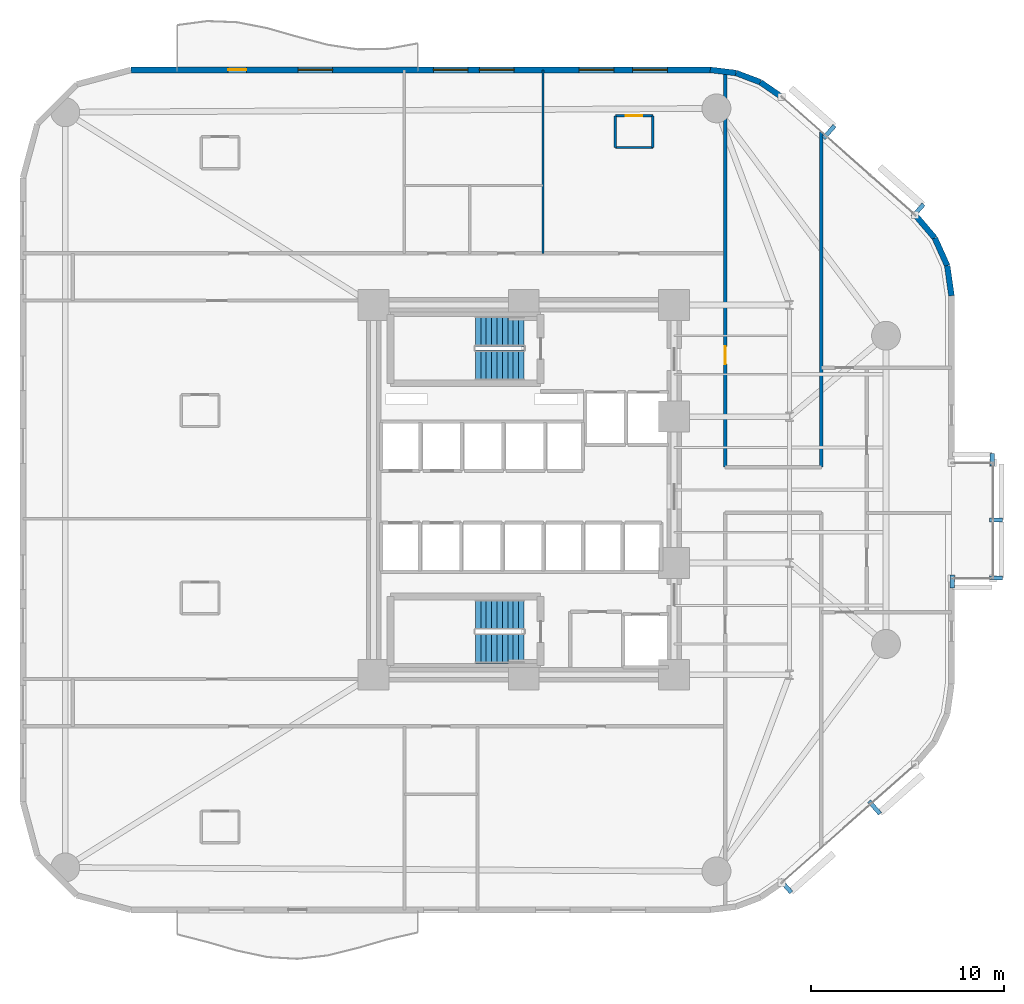
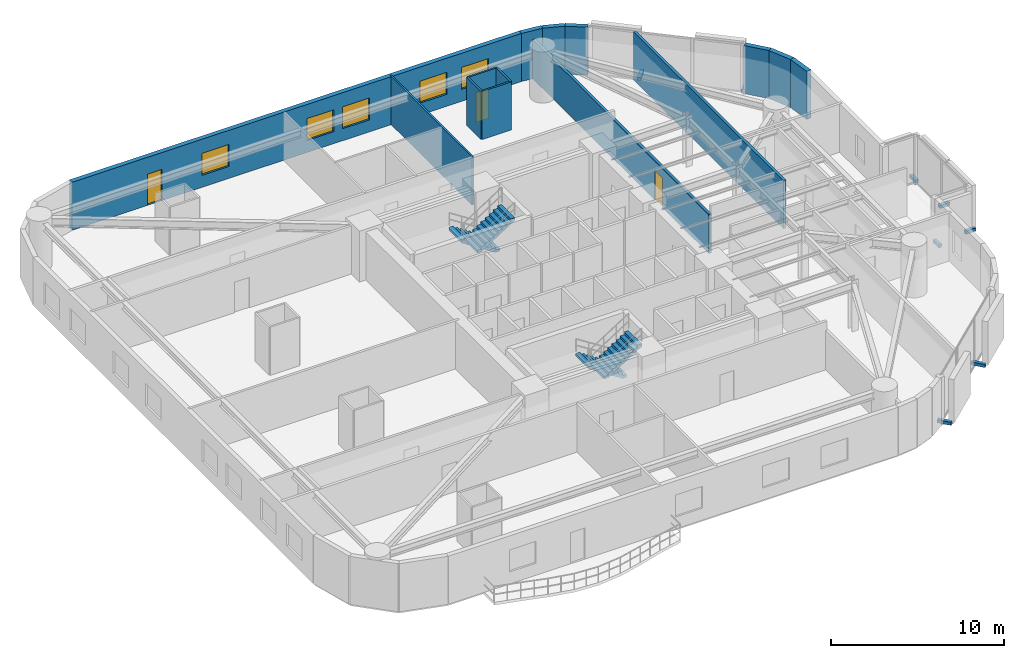
# One storey, part 13 of 16: 14 walls, 8 discrete accessories, 5 windows, 4 stair flights, 3 doors, 8 openings, 2 elements without a shape of their own.
"""IFC4 building model written with IfcOpenShell, lengths in metres."""

import ifcopenshell
import ifcopenshell.guid

model = None  # the IFC model being written
_history = None  # IfcOwnerHistory: only IFC2X3 demands one
_inside = {}  # id of a spatial element -> (the spatial element, [elements in it])
_under = {}  # id of a project, library or spatial element -> (it, [spatial elements below it])
_declared = {}  # id of a project -> (the project, [libraries it declares])
_typed = {}  # id of a type object -> (the type object, [elements of that type])
_made_of = {}  # id of a material, layer set ... -> (it, [elements and type objects made of it])


def new_model(schema):
    """Start an empty IFC model of exactly this schema.

    Asked for "IFC4X3", IfcOpenShell would pick the latest addendum, in which some entities
    have other attributes; the version numbers below select the first issue.
    IFC2X3 requires an IfcOwnerHistory on every rooted entity: one is made here for all.
    """
    global model, _history
    if schema == "IFC4X3":
        model = ifcopenshell.file(schema_version=(4, 3, 0, 0))
    else:
        model = ifcopenshell.file(schema=schema)
    _inside.clear()
    _under.clear()
    _declared.clear()
    _typed.clear()
    _made_of.clear()
    _history = None
    if model.schema == "IFC2X3":
        org = make("IfcOrganization", Name="unknown")
        user = make(
            "IfcPersonAndOrganization",
            ThePerson=make("IfcPerson", FamilyName="unknown"),
            TheOrganization=org,
        )
        app = make(
            "IfcApplication",
            ApplicationDeveloper=org,
            Version="unknown",
            ApplicationFullName="unknown",
            ApplicationIdentifier="unknown",
        )
        _history = make(
            "IfcOwnerHistory",
            OwningUser=user,
            OwningApplication=app,
            ChangeAction="ADDED",
            CreationDate=0,
        )
    return model


def make(cls, **values):
    """One entity of the class cls with the attributes given. An attribute that is None is left unset."""
    return model.create_entity(
        cls, **{name: value for name, value in values.items() if value is not None}
    )


def rooted(cls, **values):
    """An entity with a GlobalId (a new one), such as an element, a storey or a relation."""
    return make(cls, GlobalId=ifcopenshell.guid.new(), OwnerHistory=_history, **values)


def si_unit(unit_type, name, prefix=None):
    """IfcSIUnit, for example si_unit("LENGTHUNIT", "METRE", prefix="MILLI")."""
    return make("IfcSIUnit", UnitType=unit_type, Prefix=prefix, Name=name)


def assignment(units):
    """IfcUnitAssignment: the units of a project."""
    return None if units is None else make("IfcUnitAssignment", Units=units)


def point(xyz):
    """IfcCartesianPoint."""
    return None if xyz is None else make("IfcCartesianPoint", Coordinates=xyz)


def direction(xyz):
    """IfcDirection."""
    return None if xyz is None else make("IfcDirection", DirectionRatios=xyz)


def frame(location, z_axis=None, x_axis=None):
    """IfcAxis2Placement3D, a coordinate frame: its origin and axes. An axis left out is left unset."""
    return make(
        "IfcAxis2Placement3D",
        Location=point(location),
        Axis=direction(z_axis),
        RefDirection=direction(x_axis),
    )


def frame_2d(location, x_axis=None):
    """IfcAxis2Placement2D, a coordinate frame in the plane: its origin and x axis."""
    return make(
        "IfcAxis2Placement2D", Location=point(location), RefDirection=direction(x_axis)
    )


def origin():
    """The frame at (0, 0, 0) with its axes left unset."""
    return frame((0.0, 0.0, 0.0))


def origin_2d():
    """The frame at (0, 0) in the plane with its x axis left unset."""
    return frame_2d((0.0, 0.0))


def place(relative_to, where):
    """IfcLocalPlacement: puts the frame where relative to a parent placement (None: the world)."""
    return make(
        "IfcLocalPlacement", PlacementRelTo=relative_to, RelativePlacement=where
    )


def context(
    kind, dimensions, precision=None, world=None, true_north=None, identifier=None
):
    """IfcGeometricRepresentationContext, for example the 3D "Model" context."""
    return make(
        "IfcGeometricRepresentationContext",
        ContextIdentifier=identifier,
        ContextType=kind,
        CoordinateSpaceDimension=dimensions,
        Precision=precision,
        WorldCoordinateSystem=world,
        TrueNorth=true_north,
    )


def subcontext(parent, identifier, kind, view, scale=None):
    """IfcGeometricRepresentationSubContext, for example "Body" below "Model"."""
    return make(
        "IfcGeometricRepresentationSubContext",
        ContextIdentifier=identifier,
        ContextType=kind,
        ParentContext=parent,
        TargetScale=scale,
        TargetView=view,
    )


def project(units=None, contexts=None):
    """IfcProject with its units and contexts."""
    return rooted(
        "IfcProject",
        Name="project",
        RepresentationContexts=contexts,
        UnitsInContext=assignment(units),
    )


def spatial(cls, under=None, at=None, **own):
    """A site, building, storey or space (cls), placed at a placement, below another one or the project."""
    s = rooted(cls, ObjectPlacement=at, **own)
    if under is not None:
        _under.setdefault(under.id(), (under, []))[1].append(s)
    return s


def polyline(points):
    """IfcPolyline through the points."""
    return make("IfcPolyline", Points=[point(p) for p in points])


def profile(cls, at=None, kind="AREA", **sizes):
    """A parametric profile (cls). Its sizes go by their IFC names, for example OverallWidth=200.0."""
    return make(cls, ProfileType=kind, Position=at, **sizes)


def rectangle(**sizes):
    """IfcRectangleProfileDef."""
    return profile("IfcRectangleProfileDef", **sizes)


def outline(outer, holes=None, kind="AREA"):
    """IfcArbitraryClosedProfileDef: a profile drawn as a closed curve; with holes, ...WithVoids."""
    if holes is None:
        return make("IfcArbitraryClosedProfileDef", ProfileType=kind, OuterCurve=outer)
    return make(
        "IfcArbitraryProfileDefWithVoids",
        ProfileType=kind,
        OuterCurve=outer,
        InnerCurves=holes,
    )


def extrude(swept, where, along, depth):
    """IfcExtrudedAreaSolid: the profile swept, set in the frame where, extruded along a direction by depth."""
    return make(
        "IfcExtrudedAreaSolid",
        SweptArea=swept,
        Position=where,
        ExtrudedDirection=direction(along),
        Depth=depth,
    )


def shape(context_of_items, identifier, shape_type, items):
    """IfcShapeRepresentation: the items that make up one representation, for example the "Body"."""
    return make(
        "IfcShapeRepresentation",
        ContextOfItems=context_of_items,
        RepresentationIdentifier=identifier,
        RepresentationType=shape_type,
        Items=items,
    )


def material(Name=None, Category=None):
    """IfcMaterial."""
    return make("IfcMaterial", Name=Name, Category=Category)


def layer(
    of_material, thickness, ventilated=None, Name=None, Category=None, Priority=None
):
    """IfcMaterialLayer: one layer of a wall or slab, of a material (None: an air gap)."""
    return make(
        "IfcMaterialLayer",
        Material=of_material,
        LayerThickness=thickness,
        IsVentilated=ventilated,
        Name=Name,
        Category=Category,
        Priority=Priority,
    )


def layer_set(layers, Name=None):
    """IfcMaterialLayerSet."""
    return make("IfcMaterialLayerSet", MaterialLayers=layers, LayerSetName=Name)


def made_of(thing, what):
    """Note that an element or type object is made of a material, layer set ...; save() writes the relation."""
    if what is not None:
        _made_of.setdefault(what.id(), (what, []))[1].append(thing)
    return thing


def type_object(cls, material=None, **own):
    """A type object (cls), such as IfcWallType, which elements share."""
    return made_of(rooted(cls, **own), material)


def element(
    cls,
    number,
    at=None,
    inside=None,
    cuts=None,
    type_object=None,
    material=None,
    context=None,
    identifier="Body",
    shape_type=None,
    held_by="IfcProductDefinitionShape",
    body=None,
    shapes=None,
    **own,
):
    """One element of the class cls, such as IfcWall. Its Tag is "e" and its number.

    at: its placement. inside: the storey or other place that contains it. cuts: it is an
    opening in that element (IfcRelVoidsElement). A single representation is given by context,
    identifier, shape_type and body (its items); several are given by shapes. held_by: the class
    of the entity that holds the representations. save() writes the other relations.
    """
    e = rooted(cls, Tag="e%d" % number, ObjectPlacement=at, **own)
    if body is not None:
        shapes = [shape(context, identifier, shape_type, body)]
    if shapes is not None:
        e.Representation = make(held_by, Representations=shapes)
    if inside is not None:
        _inside.setdefault(inside.id(), (inside, []))[1].append(e)
    if cuts is not None:
        rooted(
            "IfcRelVoidsElement", RelatingBuildingElement=cuts, RelatedOpeningElement=e
        )
    if type_object is not None:
        _typed.setdefault(type_object.id(), (type_object, []))[1].append(e)
    return made_of(e, material)


def fill(opening, filler):
    """IfcRelFillsElement: the door or window that sits in an opening."""
    return rooted(
        "IfcRelFillsElement",
        RelatingOpeningElement=opening,
        RelatedBuildingElement=filler,
    )


def aggregate(whole, parts):
    """IfcRelAggregates: a whole, such as a stair, and the parts it consists of."""
    return rooted("IfcRelAggregates", RelatingObject=whole, RelatedObjects=parts)


def save(model, path):
    """Write the relations noted so far, then the file.

    IfcRelAggregates (storeys below a building ...), IfcRelContainedInSpatialStructure (elements
    in a storey), IfcRelDefinesByType, IfcRelAssociatesMaterial and IfcRelDeclares: one each for
    every whole, place, type object, material and project.
    """
    for whole, parts in _under.values():
        aggregate(whole, parts)
    for where, things in _inside.values():
        rooted(
            "IfcRelContainedInSpatialStructure",
            RelatedElements=things,
            RelatingStructure=where,
        )
    for kind, things in _typed.values():
        rooted("IfcRelDefinesByType", RelatedObjects=things, RelatingType=kind)
    for what, things in _made_of.values():
        rooted("IfcRelAssociatesMaterial", RelatedObjects=things, RelatingMaterial=what)
    for by, libraries in _declared.values():
        rooted("IfcRelDeclares", RelatingContext=by, RelatedDefinitions=libraries)
    model.write(path)


model = new_model("IFC4")

# Units and contexts
model_context = context("Model", 3, precision=1e-05, world=origin(), true_north=direction((0.0, 1.0)))
body_context = subcontext(model_context, "Body", "Model", "MODEL_VIEW")
ifc_project = project(units=[si_unit("LENGTHUNIT", "METRE"), si_unit("AREAUNIT", "SQUARE_METRE"), si_unit("VOLUMEUNIT", "CUBIC_METRE"), si_unit("PLANEANGLEUNIT", "RADIAN"), si_unit("MASSUNIT", "GRAM", prefix="KILO")], contexts=[model_context])

# Site, building, storey
site_placement = place(None, origin())
site = spatial("IfcSite", under=ifc_project, at=site_placement, CompositionType="ELEMENT")
building_placement = place(site_placement, origin())
building = spatial("IfcBuilding", under=site, at=building_placement, Name="An Khanh Terracotta Commons", CompositionType="ELEMENT")
storey_placement = place(building_placement, frame((0.0, 0.0, 57.60009765625)))
storey = spatial("IfcBuildingStorey", under=building, at=storey_placement, Name="L15", CompositionType="ELEMENT", Elevation=57.60009765625)

# Wall, opening, door
ifc_material_1 = material(Name="Fire-Rated Gypsum Board on Steel Stud", Category="steel")
ifc_layer_1 = layer(ifc_material_1, 0.179931640625, Name="Fire-Rated Gypsum Board on Steel Stud")
ifc_layer_set_1 = layer_set([ifc_layer_1], Name="Fire-Rated Gypsum Board on Steel Stud")
wall_type_1 = type_object("IfcWallType", Name="WALL-CORR-180", PredefinedType="PARTITIONING", material=ifc_layer_set_1)
wall_1_placement = place(storey_placement, frame((39.85009765625, 25.179931640625, 0.0), z_axis=(0.0, 0.0, 1.0), x_axis=(0.0, 1.0, 0.0)))
wall_1 = element("IfcWall", 1, at=wall_1_placement, inside=storey, type_object=wall_type_1, Name="L15 Interior Partition IW-L15-E021", PredefinedType="PARTITIONING", context=body_context, shape_type="SweptSolid", body=[
    extrude(rectangle(XDim=20.527099609375, YDim=0.179931640625, at=frame_2d((10.263671875, 0.0))), origin(), (0.0, 0.0, 1.0), 2.781982421875),
])
opening_1_placement = place(wall_1_placement, frame((5.35009765625, 0.0, 0.0)))
opening_1 = element("IfcOpeningElement", 2, at=opening_1_placement, cuts=wall_1, Name="Opening D-RM", PredefinedType="OPENING", context=body_context, shape_type="SweptSolid", body=[
    extrude(rectangle(XDim=0.919921875, YDim=2.10009765625, at=frame_2d((0.4599609375, 1.050048828125))), frame((0.0, 0.099853515625, 0.0), z_axis=(0.0, -1.0, 0.0), x_axis=(1.0, 0.0, 0.0)), (0.0, 0.0, 1.0), 0.199951171875),
])
ifc_material_2 = material(Name="Engineered Hardwood Timber Leaf", Category="wood")
door_type_1 = type_object("IfcDoorType", Name="DOOR-INT-920", OperationType="NOTDEFINED", PredefinedType="DOOR", material=ifc_material_2)
door_1_placement = place(opening_1_placement, origin())
door_1 = element("IfcDoor", 3, at=door_1_placement, inside=storey, type_object=door_type_1, Name="L15 NB1 Academic Seminar Room Door", OperationType="SINGLE_SWING_LEFT", OverallHeight=2.10009765625, OverallWidth=0.919921875, PredefinedType="DOOR", context=body_context, shape_type="SweptSolid", body=[
    extrude(rectangle(XDim=0.919921875, YDim=2.10009765625, at=frame_2d((0.4599609375, 1.050048828125))), frame((0.0, 0.02490234375, 0.0), z_axis=(0.0, -1.0, 0.0), x_axis=(1.0, 0.0, 0.0)), (0.0, 0.0, 1.0), 0.050048828125),
])
fill(opening_1, door_1)

# Walls
wall_2_placement = place(storey_placement, frame((44.85009765625, 25.179931640625, 0.0), z_axis=(0.0, 0.0, 1.0), x_axis=(0.0, 1.0, 0.0)))
element("IfcWall", 4, at=wall_2_placement, inside=storey, type_object=wall_type_1, Name="L15 Interior Partition IW-L15-E023", PredefinedType="PARTITIONING", context=body_context, shape_type="SweptSolid", body=[
    extrude(rectangle(XDim=17.39111328125, YDim=0.179931640625, at=frame_2d((8.695556640625, 0.0))), origin(), (0.0, 0.0, 1.0), 3.39990234375),
])
ifc_material_3 = material(Name="Precast concrete C40/50", Category="concrete")
ifc_layer_2 = layer(ifc_material_3, 0.300048828125, Name="Precast concrete C40/50")
ifc_layer_set_2 = layer_set([ifc_layer_2], Name="Precast concrete C40/50")
wall_type_2 = type_object("IfcWallType", Name="WALL-EXT-300", PredefinedType="SOLIDWALL", material=ifc_layer_set_2)
wall_3_placement = place(storey_placement, frame((51.60009765625, 34.076904296875, 0.0), z_axis=(0.0, 0.0, 1.0), x_axis=(-0.140380048512, 0.990097693149, 0.0)))
element("IfcWall", 5, at=wall_3_placement, inside=storey, type_object=wall_type_2, Name="L15 Insulated Terracotta Exterior Wall 13", PredefinedType="SOLIDWALL", context=body_context, shape_type="SweptSolid", body=[
    extrude(rectangle(XDim=1.57568359375, YDim=0.300048828125, at=frame_2d((0.787841796875, 0.0))), origin(), (0.0, 0.0, 1.0), 3.39990234375),
])
wall_4_placement = place(storey_placement, frame((51.37890625, 35.636962890625, 0.0), z_axis=(0.0, 0.0, 1.0), x_axis=(-0.410996558744, 0.911636895206, 0.0)))
element("IfcWall", 6, at=wall_4_placement, inside=storey, type_object=wall_type_2, Name="L15 Insulated Terracotta Exterior Wall 14", PredefinedType="SOLIDWALL", context=body_context, shape_type="SweptSolid", body=[
    extrude(rectangle(XDim=1.57421875, YDim=0.300048828125, at=frame_2d((0.787109375, 0.0))), origin(), (0.0, 0.0, 1.0), 3.39990234375),
])
wall_5_placement = place(storey_placement, frame((50.73193359375, 37.072021484375, 0.0), z_axis=(0.0, 0.0, 1.0), x_axis=(-0.648389989909, 0.7613083613, 0.0)))
element("IfcWall", 7, at=wall_5_placement, inside=storey, type_object=wall_type_2, Name="L15 Insulated Terracotta Exterior Wall 15", PredefinedType="SOLIDWALL", context=body_context, shape_type="SweptSolid", body=[
    extrude(rectangle(XDim=1.576171875, YDim=0.300048828125, at=frame_2d((0.7880859375, 0.0))), origin(), (0.0, 0.0, 1.0), 3.39990234375),
])
wall_6_placement = place(storey_placement, frame((42.7890625, 44.39404296875, 0.0), z_axis=(0.0, 0.0, 1.0), x_axis=(-0.823116500192, 0.567872544777, 0.0)))
element("IfcWall", 8, at=wall_6_placement, inside=storey, type_object=wall_type_2, Name="L15 Insulated Terracotta Exterior Wall 17", PredefinedType="SOLIDWALL", context=body_context, shape_type="SweptSolid", body=[
    extrude(rectangle(XDim=1.3486328125, YDim=0.300048828125, at=frame_2d((0.67431640625, 0.0))), origin(), (0.0, 0.0, 1.0), 3.39990234375),
])
wall_7_placement = place(storey_placement, frame((41.678955078125, 45.159912109375, 0.0), z_axis=(0.0, 0.0, 1.0), x_axis=(-0.935156721165, 0.354234254216, 0.0)))
element("IfcWall", 9, at=wall_7_placement, inside=storey, type_object=wall_type_2, Name="L15 Insulated Terracotta Exterior Wall 18", PredefinedType="SOLIDWALL", context=body_context, shape_type="SweptSolid", body=[
    extrude(rectangle(XDim=1.349365234375, YDim=0.300048828125, at=frame_2d((0.6748046875, 0.0))), origin(), (0.0, 0.0, 1.0), 3.39990234375),
])
wall_8_placement = place(storey_placement, frame((40.4169921875, 45.637939453125, 0.0), z_axis=(0.0, 0.0, 1.0), x_axis=(-0.992739027259, 0.120288086515, 0.0)))
element("IfcWall", 10, at=wall_8_placement, inside=storey, type_object=wall_type_2, Name="L15 Insulated Terracotta Exterior Wall 19", PredefinedType="SOLIDWALL", context=body_context, shape_type="SweptSolid", body=[
    extrude(rectangle(XDim=1.34765625, YDim=0.300048828125, at=frame_2d((0.673828125, 0.0))), origin(), (0.0, 0.0, 1.0), 3.39990234375),
])

# Wall, openings, door, windows
wall_9_placement = place(storey_placement, frame((39.0791015625, 45.800048828125, 0.0), z_axis=(0.0, 0.0, 1.0), x_axis=(-1.0, 0.0, 0.0)))
wall_9 = element("IfcWall", 11, at=wall_9_placement, inside=storey, type_object=wall_type_2, Name="L15 Insulated Terracotta Exterior Wall 20", PredefinedType="SOLIDWALL", context=body_context, shape_type="SweptSolid", body=[
    extrude(rectangle(XDim=30.0791015625, YDim=0.300048828125, at=frame_2d((15.03955078125, 0.0))), origin(), (0.0, 0.0, 1.0), 3.39990234375),
])
opening_2_placement = place(wall_9_placement, frame((24.0791015625, 0.0, 0.0)))
opening_2 = element("IfcOpeningElement", 12, at=opening_2_placement, cuts=wall_9, Name="Opening D-BAL", PredefinedType="OPENING", context=body_context, shape_type="SweptSolid", body=[
    extrude(rectangle(XDim=0.949951171875, YDim=2.199951171875, at=frame_2d((0.47509765625, 1.10009765625))), frame((0.0, 0.159912109375, 0.0), z_axis=(0.0, -1.0, 0.0), x_axis=(1.0, 0.0, 0.0)), (0.0, 0.0, 1.0), 0.320068359375),
])
opening_3_placement = place(wall_9_placement, frame((2.22607421875, 0.0, 0.85009765625)))
opening_3 = element("IfcOpeningElement", 13, at=opening_3_placement, cuts=wall_9, Name="Opening W-01", PredefinedType="OPENING", context=body_context, shape_type="SweptSolid", body=[
    extrude(rectangle(XDim=1.800048828125, YDim=1.550048828125, at=frame_2d((0.89990234375, 0.77490234375))), frame((0.0, 0.159912109375, 0.0), z_axis=(0.0, -1.0, 0.0), x_axis=(1.0, 0.0, 0.0)), (0.0, 0.0, 1.0), 0.320068359375),
])
opening_4_placement = place(wall_9_placement, frame((5.0029296875, 0.0, 0.85009765625)))
opening_4 = element("IfcOpeningElement", 14, at=opening_4_placement, cuts=wall_9, Name="Opening W-01", PredefinedType="OPENING", context=body_context, shape_type="SweptSolid", body=[
    extrude(rectangle(XDim=1.800048828125, YDim=1.550048828125, at=frame_2d((0.89990234375, 0.77490234375))), frame((0.0, 0.159912109375, 0.0), z_axis=(0.0, -1.0, 0.0), x_axis=(1.0, 0.0, 0.0)), (0.0, 0.0, 1.0), 0.320068359375),
])
opening_5_placement = place(wall_9_placement, frame((10.178955078125, 0.0, 0.85009765625)))
opening_5 = element("IfcOpeningElement", 15, at=opening_5_placement, cuts=wall_9, Name="Opening W-01", PredefinedType="OPENING", context=body_context, shape_type="SweptSolid", body=[
    extrude(rectangle(XDim=1.800048828125, YDim=1.550048828125, at=frame_2d((0.89990234375, 0.77490234375))), frame((0.0, 0.159912109375, 0.0), z_axis=(0.0, -1.0, 0.0), x_axis=(1.0, 0.0, 0.0)), (0.0, 0.0, 1.0), 0.320068359375),
])
opening_6_placement = place(wall_9_placement, frame((12.5791015625, 0.0, 0.85009765625)))
opening_6 = element("IfcOpeningElement", 16, at=opening_6_placement, cuts=wall_9, Name="Opening W-01", PredefinedType="OPENING", context=body_context, shape_type="SweptSolid", body=[
    extrude(rectangle(XDim=1.800048828125, YDim=1.550048828125, at=frame_2d((0.89990234375, 0.77490234375))), frame((0.0, 0.159912109375, 0.0), z_axis=(0.0, -1.0, 0.0), x_axis=(1.0, 0.0, 0.0)), (0.0, 0.0, 1.0), 0.320068359375),
])
opening_7_placement = place(wall_9_placement, frame((19.595947265625, 0.0, 0.85009765625)))
opening_7 = element("IfcOpeningElement", 17, at=opening_7_placement, cuts=wall_9, Name="Opening W-01", PredefinedType="OPENING", context=body_context, shape_type="SweptSolid", body=[
    extrude(rectangle(XDim=1.800048828125, YDim=1.550048828125, at=frame_2d((0.89990234375, 0.77490234375))), frame((0.0, 0.159912109375, 0.0), z_axis=(0.0, -1.0, 0.0), x_axis=(1.0, 0.0, 0.0)), (0.0, 0.0, 1.0), 0.320068359375),
])
ifc_material_4 = material(Name="Thermally Broken Aluminium and Low-E Glass", Category="aluminium")
door_type_2 = type_object("IfcDoorType", Name="DOOR-BALC-950", OperationType="NOTDEFINED", PredefinedType="DOOR", material=ifc_material_4)
door_2_placement = place(opening_2_placement, origin())
door_2 = element("IfcDoor", 18, at=door_2_placement, inside=storey, type_object=door_type_2, Name="L15 N Wave Balcony Glazed Door", OperationType="SINGLE_SWING_RIGHT", OverallHeight=2.199951171875, OverallWidth=0.949951171875, PredefinedType="DOOR", context=body_context, shape_type="SweptSolid", body=[
    extrude(rectangle(XDim=0.949951171875, YDim=2.199951171875, at=frame_2d((0.47509765625, 1.10009765625))), frame((0.0, 0.02490234375, 0.0), z_axis=(0.0, -1.0, 0.0), x_axis=(1.0, 0.0, 0.0)), (0.0, 0.0, 1.0), 0.050048828125),
])
fill(opening_2, door_2)
window_type = type_object("IfcWindowType", Name="WIN-Z1-1800x1550", PartitioningType="DOUBLE_PANEL_VERTICAL", PredefinedType="WINDOW", material=ifc_material_4)
window_1_placement = place(opening_3_placement, origin())
window_1 = element("IfcWindow", 19, at=window_1_placement, inside=storey, type_object=window_type, Name="L15 Operable Casement Window 20.1", OverallHeight=1.550048828125, OverallWidth=1.800048828125, PartitioningType="DOUBLE_PANEL_VERTICAL", PredefinedType="WINDOW", context=body_context, shape_type="SweptSolid", body=[
    extrude(rectangle(XDim=1.800048828125, YDim=1.550048828125, at=frame_2d((0.89990234375, 0.77490234375))), frame((0.0, 0.030029296875, 0.0), z_axis=(0.0, -1.0, 0.0), x_axis=(1.0, 0.0, 0.0)), (0.0, 0.0, 1.0), 0.06005859375),
])
fill(opening_3, window_1)
window_2_placement = place(opening_4_placement, origin())
window_2 = element("IfcWindow", 20, at=window_2_placement, inside=storey, type_object=window_type, Name="L15 Operable Casement Window 20.2", OverallHeight=1.550048828125, OverallWidth=1.800048828125, PartitioningType="DOUBLE_PANEL_VERTICAL", PredefinedType="WINDOW", context=body_context, shape_type="SweptSolid", body=[
    extrude(rectangle(XDim=1.800048828125, YDim=1.550048828125, at=frame_2d((0.89990234375, 0.77490234375))), frame((0.0, 0.030029296875, 0.0), z_axis=(0.0, -1.0, 0.0), x_axis=(1.0, 0.0, 0.0)), (0.0, 0.0, 1.0), 0.06005859375),
])
fill(opening_4, window_2)
window_3_placement = place(opening_5_placement, origin())
window_3 = element("IfcWindow", 21, at=window_3_placement, inside=storey, type_object=window_type, Name="L15 Operable Casement Window 20.3", OverallHeight=1.550048828125, OverallWidth=1.800048828125, PartitioningType="DOUBLE_PANEL_VERTICAL", PredefinedType="WINDOW", context=body_context, shape_type="SweptSolid", body=[
    extrude(rectangle(XDim=1.800048828125, YDim=1.550048828125, at=frame_2d((0.89990234375, 0.77490234375))), frame((0.0, 0.030029296875, 0.0), z_axis=(0.0, -1.0, 0.0), x_axis=(1.0, 0.0, 0.0)), (0.0, 0.0, 1.0), 0.06005859375),
])
fill(opening_5, window_3)
window_4_placement = place(opening_6_placement, origin())
window_4 = element("IfcWindow", 22, at=window_4_placement, inside=storey, type_object=window_type, Name="L15 Operable Casement Window 20.4", OverallHeight=1.550048828125, OverallWidth=1.800048828125, PartitioningType="DOUBLE_PANEL_VERTICAL", PredefinedType="WINDOW", context=body_context, shape_type="SweptSolid", body=[
    extrude(rectangle(XDim=1.800048828125, YDim=1.550048828125, at=frame_2d((0.89990234375, 0.77490234375))), frame((0.0, 0.030029296875, 0.0), z_axis=(0.0, -1.0, 0.0), x_axis=(1.0, 0.0, 0.0)), (0.0, 0.0, 1.0), 0.06005859375),
])
fill(opening_6, window_4)
window_5_placement = place(opening_7_placement, origin())
window_5 = element("IfcWindow", 23, at=window_5_placement, inside=storey, type_object=window_type, Name="L15 Operable Casement Window 20.5", OverallHeight=1.550048828125, OverallWidth=1.800048828125, PartitioningType="DOUBLE_PANEL_VERTICAL", PredefinedType="WINDOW", context=body_context, shape_type="SweptSolid", body=[
    extrude(rectangle(XDim=1.800048828125, YDim=1.550048828125, at=frame_2d((0.89990234375, 0.77490234375))), frame((0.0, 0.030029296875, 0.0), z_axis=(0.0, -1.0, 0.0), x_axis=(1.0, 0.0, 0.0)), (0.0, 0.0, 1.0), 0.06005859375),
])
fill(opening_7, window_5)

# Wall, opening, door
ifc_material_5 = material(Name="Moisture-Resistant Cement Board Partition")
ifc_layer_3 = layer(ifc_material_5, 0.1201171875, Name="Moisture-Resistant Cement Board Partition")
ifc_layer_set_3 = layer_set([ifc_layer_3], Name="Moisture-Resistant Cement Board Partition")
wall_type_3 = type_object("IfcWallType", Name="WALL-WET-120", PredefinedType="PARTITIONING", material=ifc_layer_set_3)
wall_10_placement = place(storey_placement, frame((34.14990234375, 43.4169921875, 0.0), z_axis=(0.0, 0.0, 1.0), x_axis=(1.0, 0.0, 0.0)))
wall_10 = element("IfcWall", 24, at=wall_10_placement, inside=storey, type_object=wall_type_3, Name="L15 Interior Partition IW-L15-NWE-BN", PredefinedType="PARTITIONING", context=body_context, shape_type="SweptSolid", body=[
    extrude(rectangle(XDim=1.9501953125, YDim=0.1201171875, at=frame_2d((0.97509765625, 0.0))), origin(), (0.0, 0.0, 1.0), 3.39990234375),
])
opening_8_placement = place(wall_10_placement, frame((0.544921875, 0.0, 0.0)))
opening_8 = element("IfcOpeningElement", 25, at=opening_8_placement, cuts=wall_10, Name="Opening D-ENS", PredefinedType="OPENING", context=body_context, shape_type="SweptSolid", body=[
    extrude(rectangle(XDim=0.860107421875, YDim=2.10009765625, at=frame_2d((0.43017578125, 1.050048828125))), frame((0.0, 0.070068359375, 0.0), z_axis=(0.0, -1.0, 0.0), x_axis=(1.0, 0.0, 0.0)), (0.0, 0.0, 1.0), 0.14013671875),
])
ifc_material_6 = material(Name="Moisture-Resistant Hardwood Timber Leaf", Category="wood")
door_type_3 = type_object("IfcDoorType", Name="DOOR-BATH-860", OperationType="NOTDEFINED", PredefinedType="DOOR", material=ifc_material_6)
door_3_placement = place(opening_8_placement, origin())
door_3 = element("IfcDoor", 26, at=door_3_placement, inside=storey, type_object=door_type_3, Name="L15 Studio NWE En-suite Door", OperationType="SINGLE_SWING_RIGHT", OverallHeight=2.10009765625, OverallWidth=0.860107421875, PredefinedType="DOOR", context=body_context, shape_type="SweptSolid", body=[
    extrude(rectangle(XDim=0.860107421875, YDim=2.10009765625, at=frame_2d((0.43017578125, 1.050048828125))), frame((0.0, 0.02490234375, 0.0), z_axis=(0.0, -1.0, 0.0), x_axis=(1.0, 0.0, 0.0)), (0.0, 0.0, 1.0), 0.050048828125),
])
fill(opening_8, door_3)

# Walls
wall_11_placement = place(storey_placement, frame((36.10009765625, 41.76708984375, 0.0), z_axis=(0.0, 0.0, 1.0), x_axis=(-1.0, 0.0, 0.0)))
element("IfcWall", 27, at=wall_11_placement, inside=storey, type_object=wall_type_3, Name="L15 Interior Partition IW-L15-NWE-BS", PredefinedType="PARTITIONING", context=body_context, shape_type="SweptSolid", body=[
    extrude(rectangle(XDim=1.9501953125, YDim=0.1201171875, at=frame_2d((0.97509765625, 0.0))), origin(), (0.0, 0.0, 1.0), 3.39990234375),
])
for number, where, z_axis, x_axis, name in (
    (28, (34.14990234375, 43.4169921875, 0.0), (0.0, 0.0, 1.0), (0.0, -1.0, 0.0), "L15 Interior Partition IW-L15-NWE-BW"),
    (29, (36.10009765625, 41.76708984375, 0.0), (0.0, 0.0, 1.0), (0.0, 1.0, 0.0), "L15 Interior Partition IW-L15-NWE-BE"),
):
    element("IfcWall", number, at=place(storey_placement, frame(where, z_axis=z_axis, x_axis=x_axis)), inside=storey, type_object=wall_type_3, Name=name, PredefinedType="PARTITIONING", context=body_context, shape_type="SweptSolid", body=[
        extrude(rectangle(XDim=1.64990234375, YDim=0.1201171875, at=frame_2d((0.824951171875, 0.0))), origin(), (0.0, 0.0, 1.0), 3.39990234375),
    ])
wall_12_placement = place(storey_placement, frame((30.39990234375, 36.280029296875, 0.0), z_axis=(0.0, 0.0, 1.0), x_axis=(0.0, 1.0, 0.0)))
element("IfcWall", 30, at=wall_12_placement, inside=storey, type_object=wall_type_3, Name="L15 Interior Partition IW-L15-E019", PredefinedType="PARTITIONING", context=body_context, shape_type="SweptSolid", body=[
    extrude(rectangle(XDim=9.52001953125, YDim=0.1201171875, at=frame_2d((4.760009765625, 0.0))), origin(), (0.0, 0.0, 1.0), 3.39990234375),
])

# Stair, stair flights
stair_type = type_object("IfcStairType", Name="STAIR-CORE-1550", PredefinedType="HALF_TURN_STAIR", material=ifc_material_3)
stair_1_placement = place(storey_placement, origin())
stair_1 = element("IfcStair", 31, at=stair_1_placement, inside=storey, type_object=stair_type, Name="L15 Core Smokeproof Exit Stair ST-01", PredefinedType="HALF_TURN_STAIR")
stair_flight_type = type_object("IfcStairFlightType", Name="FLIGHT-CORE-1550", PredefinedType="STRAIGHT", material=ifc_material_3)
stair_flight_1_placement = place(storey_placement, frame((29.409912109375, 32.22509765625, 0.0), z_axis=(0.0, 0.0, 1.0), x_axis=(-1.0, 0.0, 0.0)))
stair_flight_1 = element("IfcStairFlight", 32, at=stair_flight_1_placement, type_object=stair_flight_type, Name="ST-01 flight 1", NumberOfRisers=10, NumberOfTreads=9, PredefinedType="STRAIGHT", RiserHeight=0.18, TreadLength=0.28, context=body_context, shape_type="SweptSolid", body=[
    extrude(outline(polyline([(0.0, 0.0), (0.0, 0.179931640625), (0.280029296875, 0.179931640625), (0.280029296875, 0.360107421875), (0.56005859375, 0.360107421875), (0.56005859375, 0.5400390625), (0.840087890625, 0.5400390625), (0.840087890625, 0.719970703125), (1.1201171875, 0.719970703125), (1.1201171875, 0.89990234375), (1.39990234375, 0.89990234375), (1.39990234375, 1.080078125), (1.679931640625, 1.080078125), (1.679931640625, 1.260009765625), (1.9599609375, 1.260009765625), (1.9599609375, 1.43994140625), (2.239990234375, 1.43994140625), (2.239990234375, 1.6201171875), (2.52001953125, 1.6201171875), (2.52001953125, 1.800048828125), (2.52001953125, 1.44189453125), (0.277099609375, 0.0), (0.0, 0.0)])), frame((0.0, 0.77490234375, 0.0), z_axis=(0.0, -1.0, 0.0), x_axis=(1.0, 0.0, 0.0)), (0.0, 0.0, 1.0), 1.550048828125),
])
stair_flight_2_placement = place(storey_placement, frame((26.889892578125, 30.47509765625, 1.7998046875), z_axis=(0.0, 0.0, 1.0), x_axis=(1.0, 0.0, 0.0)))
stair_flight_2 = element("IfcStairFlight", 33, at=stair_flight_2_placement, type_object=stair_flight_type, Name="ST-01 flight 2", NumberOfRisers=10, NumberOfTreads=9, PredefinedType="STRAIGHT", RiserHeight=0.18, TreadLength=0.28, context=body_context, shape_type="SweptSolid", body=[
    extrude(outline(polyline([(0.0, 0.0), (0.0, 0.179931640625), (0.280029296875, 0.179931640625), (0.280029296875, 0.360107421875), (0.56005859375, 0.360107421875), (0.56005859375, 0.5400390625), (0.840087890625, 0.5400390625), (0.840087890625, 0.719970703125), (1.1201171875, 0.719970703125), (1.1201171875, 0.89990234375), (1.39990234375, 0.89990234375), (1.39990234375, 1.080078125), (1.679931640625, 1.080078125), (1.679931640625, 1.260009765625), (1.9599609375, 1.260009765625), (1.9599609375, 1.43994140625), (2.239990234375, 1.43994140625), (2.239990234375, 1.6201171875), (2.52001953125, 1.6201171875), (2.52001953125, 1.800048828125), (2.52001953125, 1.44189453125), (0.277099609375, 0.0), (0.0, 0.0)])), frame((0.0, 0.77490234375, 0.0), z_axis=(0.0, -1.0, 0.0), x_axis=(1.0, 0.0, 0.0)), (0.0, 0.0, 1.0), 1.550048828125),
])
aggregate(stair_1, [stair_flight_1, stair_flight_2])

stair_2_placement = place(storey_placement, origin())
stair_2 = element("IfcStair", 34, at=stair_2_placement, inside=storey, type_object=stair_type, Name="L15 Core Smokeproof Exit Stair ST-02", PredefinedType="HALF_TURN_STAIR")
stair_flight_3_placement = place(storey_placement, frame((29.409912109375, 17.52490234375, 0.0), z_axis=(0.0, 0.0, 1.0), x_axis=(-1.0, 0.0, 0.0)))
stair_flight_3 = element("IfcStairFlight", 35, at=stair_flight_3_placement, type_object=stair_flight_type, Name="ST-02 flight 1", NumberOfRisers=10, NumberOfTreads=9, PredefinedType="STRAIGHT", RiserHeight=0.18, TreadLength=0.28, context=body_context, shape_type="SweptSolid", body=[
    extrude(outline(polyline([(0.0, 0.0), (0.0, 0.179931640625), (0.280029296875, 0.179931640625), (0.280029296875, 0.360107421875), (0.56005859375, 0.360107421875), (0.56005859375, 0.5400390625), (0.840087890625, 0.5400390625), (0.840087890625, 0.719970703125), (1.1201171875, 0.719970703125), (1.1201171875, 0.89990234375), (1.39990234375, 0.89990234375), (1.39990234375, 1.080078125), (1.679931640625, 1.080078125), (1.679931640625, 1.260009765625), (1.9599609375, 1.260009765625), (1.9599609375, 1.43994140625), (2.239990234375, 1.43994140625), (2.239990234375, 1.6201171875), (2.52001953125, 1.6201171875), (2.52001953125, 1.800048828125), (2.52001953125, 1.44189453125), (0.277099609375, 0.0), (0.0, 0.0)])), frame((0.0, 0.77490234375, 0.0), z_axis=(0.0, -1.0, 0.0), x_axis=(1.0, 0.0, 0.0)), (0.0, 0.0, 1.0), 1.550048828125),
])
stair_flight_4_placement = place(storey_placement, frame((26.889892578125, 15.77490234375, 1.7998046875), z_axis=(0.0, 0.0, 1.0), x_axis=(1.0, 0.0, 0.0)))
stair_flight_4 = element("IfcStairFlight", 36, at=stair_flight_4_placement, type_object=stair_flight_type, Name="ST-02 flight 2", NumberOfRisers=10, NumberOfTreads=9, PredefinedType="STRAIGHT", RiserHeight=0.18, TreadLength=0.28, context=body_context, shape_type="SweptSolid", body=[
    extrude(outline(polyline([(0.0, 0.0), (0.0, 0.179931640625), (0.280029296875, 0.179931640625), (0.280029296875, 0.360107421875), (0.56005859375, 0.360107421875), (0.56005859375, 0.5400390625), (0.840087890625, 0.5400390625), (0.840087890625, 0.719970703125), (1.1201171875, 0.719970703125), (1.1201171875, 0.89990234375), (1.39990234375, 0.89990234375), (1.39990234375, 1.080078125), (1.679931640625, 1.080078125), (1.679931640625, 1.260009765625), (1.9599609375, 1.260009765625), (1.9599609375, 1.43994140625), (2.239990234375, 1.43994140625), (2.239990234375, 1.6201171875), (2.52001953125, 1.6201171875), (2.52001953125, 1.800048828125), (2.52001953125, 1.44189453125), (0.277099609375, 0.0), (0.0, 0.0)])), frame((0.0, 0.77490234375, 0.0), z_axis=(0.0, -1.0, 0.0), x_axis=(1.0, 0.0, 0.0)), (0.0, 0.0, 1.0), 1.550048828125),
])
aggregate(stair_2, [stair_flight_3, stair_flight_4])

# Discrete accessories
ifc_material_7 = material(Name="Stainless Steel Grade 316L", Category="steel")
discrete_accessory_type = type_object("IfcDiscreteAccessoryType", Name="Stainless Outrigger Facade Bracket", PredefinedType="BRACKET", material=ifc_material_7)
for number, where, z_axis, x_axis, name in (
    (37, (42.990966796875, 3.430908203125, 0.06982421875), (0.0, 0.0, 1.0), (0.749019284633, 0.662548195415, 0.0), "L15 Terracotta Screen Outrigger Bracket 1"),
    (38, (47.60498046875, 7.511962890625, 0.06982421875), (0.0, 0.0, 1.0), (0.749019284633, 0.662548195415, 0.0), "L15 Terracotta Screen Outrigger Bracket 3"),
):
    element("IfcDiscreteAccessory", number, at=place(storey_placement, frame(where, z_axis=z_axis, x_axis=x_axis)), inside=storey, type_object=discrete_accessory_type, Name=name, PredefinedType="BRACKET", context=body_context, shape_type="SweptSolid", body=[
        extrude(rectangle(XDim=0.219970703125, YDim=0.8701171875, at=origin_2d()), origin(), (0.0, 0.0, 1.0), 0.219970703125),
    ])
for number, where, z_axis, x_axis, name in (
    (39, (53.9150390625, 19.431884765625, 0.06982421875), (0.0, 0.0, 1.0), (0.0, 1.0, 0.0), "L15 Terracotta Screen Outrigger Bracket 1"),
    (40, (53.9150390625, 22.431884765625, 0.06982421875), (0.0, 0.0, 1.0), (0.0, 1.0, 0.0), "L15 Terracotta Screen Outrigger Bracket 2"),
    (41, (51.633056640625, 19.235107421875, 0.06982421875), (0.0, 0.0, 1.0), (1.0, 0.0, 0.0), "L15 Terracotta Screen Outrigger Bracket 1"),
    (42, (53.718017578125, 25.56494140625, 0.06982421875), (0.0, 0.0, 1.0), (-1.0, 0.0, 0.0), "L15 Terracotta Screen Outrigger Bracket 1"),
):
    element("IfcDiscreteAccessory", number, at=place(storey_placement, frame(where, z_axis=z_axis, x_axis=x_axis)), inside=storey, type_object=discrete_accessory_type, Name=name, PredefinedType="BRACKET", context=body_context, shape_type="SweptSolid", body=[
        extrude(rectangle(XDim=0.219970703125, YDim=0.669921875, at=origin_2d()), origin(), (0.0, 0.0, 1.0), 0.219970703125),
    ])
for number, where, z_axis, x_axis, name in (
    (43, (49.85888671875, 38.493896484375, 0.06982421875), (0.0, 0.0, 1.0), (-0.749019284633, 0.662548195415, 0.0), "L15 Terracotta Screen Outrigger Bracket 1"),
    (44, (45.2451171875, 42.574951171875, 0.06982421875), (0.0, 0.0, 1.0), (-0.749019284633, 0.662548195415, 0.0), "L15 Terracotta Screen Outrigger Bracket 3"),
):
    element("IfcDiscreteAccessory", number, at=place(storey_placement, frame(where, z_axis=z_axis, x_axis=x_axis)), inside=storey, type_object=discrete_accessory_type, Name=name, PredefinedType="BRACKET", context=body_context, shape_type="SweptSolid", body=[
        extrude(rectangle(XDim=0.219970703125, YDim=0.8701171875, at=origin_2d()), origin(), (0.0, 0.0, 1.0), 0.219970703125),
    ])

save(model, "model.ifc")
